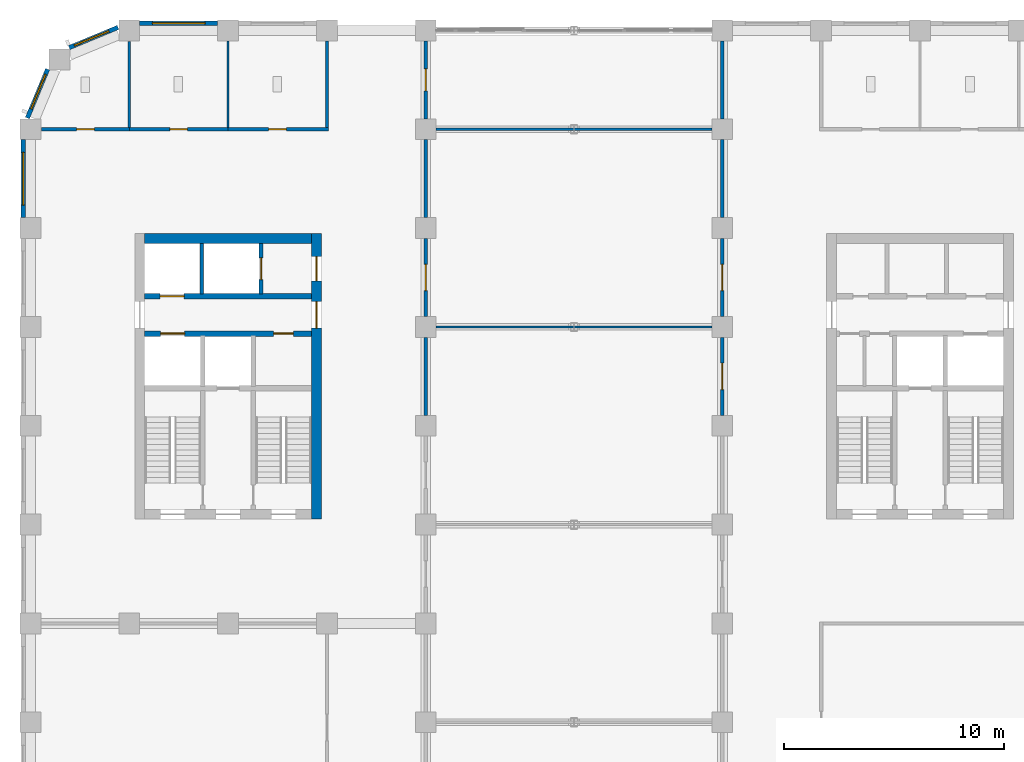
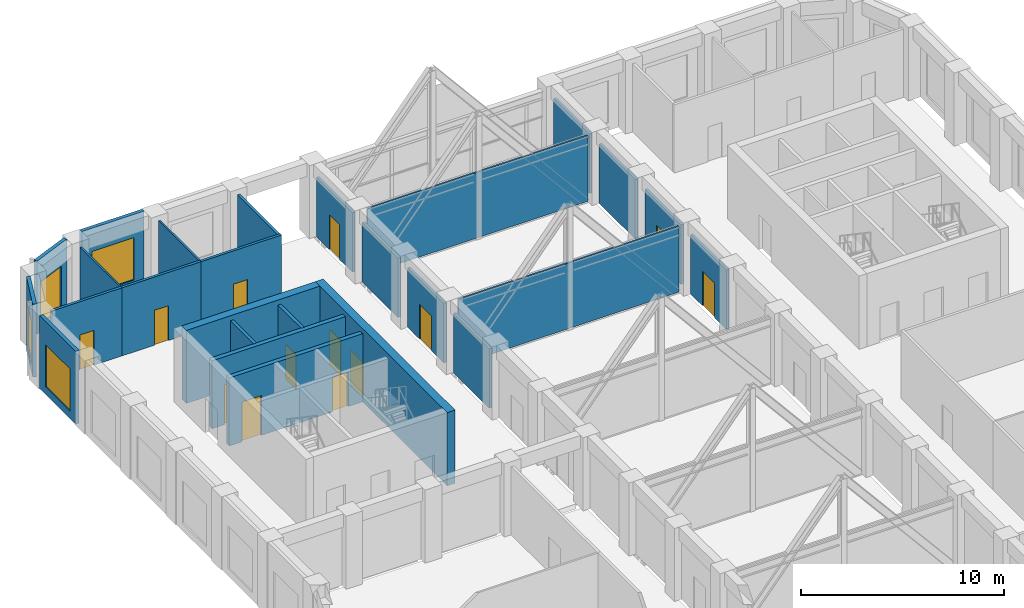
# One storey, part 10 of 15: 26 walls, 13 doors, 4 windows, 17 openings.
"""IFC4 building model written with IfcOpenShell, lengths in metres."""

import ifcopenshell
import ifcopenshell.guid

model = None  # the IFC model being written
_history = None  # IfcOwnerHistory: only IFC2X3 demands one
_inside = {}  # id of a spatial element -> (the spatial element, [elements in it])
_under = {}  # id of a project, library or spatial element -> (it, [spatial elements below it])
_declared = {}  # id of a project -> (the project, [libraries it declares])
_typed = {}  # id of a type object -> (the type object, [elements of that type])
_made_of = {}  # id of a material, layer set ... -> (it, [elements and type objects made of it])


def new_model(schema):
    """Start an empty IFC model of exactly this schema.

    Asked for "IFC4X3", IfcOpenShell would pick the latest addendum, in which some entities
    have other attributes; the version numbers below select the first issue.
    IFC2X3 requires an IfcOwnerHistory on every rooted entity: one is made here for all.
    """
    global model, _history
    if schema == "IFC4X3":
        model = ifcopenshell.file(schema_version=(4, 3, 0, 0))
    else:
        model = ifcopenshell.file(schema=schema)
    _inside.clear()
    _under.clear()
    _declared.clear()
    _typed.clear()
    _made_of.clear()
    _history = None
    if model.schema == "IFC2X3":
        org = make("IfcOrganization", Name="unknown")
        user = make(
            "IfcPersonAndOrganization",
            ThePerson=make("IfcPerson", FamilyName="unknown"),
            TheOrganization=org,
        )
        app = make(
            "IfcApplication",
            ApplicationDeveloper=org,
            Version="unknown",
            ApplicationFullName="unknown",
            ApplicationIdentifier="unknown",
        )
        _history = make(
            "IfcOwnerHistory",
            OwningUser=user,
            OwningApplication=app,
            ChangeAction="ADDED",
            CreationDate=0,
        )
    return model


def make(cls, **values):
    """One entity of the class cls with the attributes given. An attribute that is None is left unset."""
    return model.create_entity(
        cls, **{name: value for name, value in values.items() if value is not None}
    )


def rooted(cls, **values):
    """An entity with a GlobalId (a new one), such as an element, a storey or a relation."""
    return make(cls, GlobalId=ifcopenshell.guid.new(), OwnerHistory=_history, **values)


def si_unit(unit_type, name, prefix=None):
    """IfcSIUnit, for example si_unit("LENGTHUNIT", "METRE", prefix="MILLI")."""
    return make("IfcSIUnit", UnitType=unit_type, Prefix=prefix, Name=name)


def assignment(units):
    """IfcUnitAssignment: the units of a project."""
    return None if units is None else make("IfcUnitAssignment", Units=units)


def point(xyz):
    """IfcCartesianPoint."""
    return None if xyz is None else make("IfcCartesianPoint", Coordinates=xyz)


def direction(xyz):
    """IfcDirection."""
    return None if xyz is None else make("IfcDirection", DirectionRatios=xyz)


def frame(location, z_axis=None, x_axis=None):
    """IfcAxis2Placement3D, a coordinate frame: its origin and axes. An axis left out is left unset."""
    return make(
        "IfcAxis2Placement3D",
        Location=point(location),
        Axis=direction(z_axis),
        RefDirection=direction(x_axis),
    )


def frame_2d(location, x_axis=None):
    """IfcAxis2Placement2D, a coordinate frame in the plane: its origin and x axis."""
    return make(
        "IfcAxis2Placement2D", Location=point(location), RefDirection=direction(x_axis)
    )


def origin():
    """The frame at (0, 0, 0) with its axes left unset."""
    return frame((0.0, 0.0, 0.0))


def place(relative_to, where):
    """IfcLocalPlacement: puts the frame where relative to a parent placement (None: the world)."""
    return make(
        "IfcLocalPlacement", PlacementRelTo=relative_to, RelativePlacement=where
    )


def context(
    kind, dimensions, precision=None, world=None, true_north=None, identifier=None
):
    """IfcGeometricRepresentationContext, for example the 3D "Model" context."""
    return make(
        "IfcGeometricRepresentationContext",
        ContextIdentifier=identifier,
        ContextType=kind,
        CoordinateSpaceDimension=dimensions,
        Precision=precision,
        WorldCoordinateSystem=world,
        TrueNorth=true_north,
    )


def subcontext(parent, identifier, kind, view, scale=None):
    """IfcGeometricRepresentationSubContext, for example "Body" below "Model"."""
    return make(
        "IfcGeometricRepresentationSubContext",
        ContextIdentifier=identifier,
        ContextType=kind,
        ParentContext=parent,
        TargetScale=scale,
        TargetView=view,
    )


def project(units=None, contexts=None):
    """IfcProject with its units and contexts."""
    return rooted(
        "IfcProject",
        Name="project",
        RepresentationContexts=contexts,
        UnitsInContext=assignment(units),
    )


def spatial(cls, under=None, at=None, **own):
    """A site, building, storey or space (cls), placed at a placement, below another one or the project."""
    s = rooted(cls, ObjectPlacement=at, **own)
    if under is not None:
        _under.setdefault(under.id(), (under, []))[1].append(s)
    return s


def profile(cls, at=None, kind="AREA", **sizes):
    """A parametric profile (cls). Its sizes go by their IFC names, for example OverallWidth=200.0."""
    return make(cls, ProfileType=kind, Position=at, **sizes)


def rectangle(**sizes):
    """IfcRectangleProfileDef."""
    return profile("IfcRectangleProfileDef", **sizes)


def extrude(swept, where, along, depth):
    """IfcExtrudedAreaSolid: the profile swept, set in the frame where, extruded along a direction by depth."""
    return make(
        "IfcExtrudedAreaSolid",
        SweptArea=swept,
        Position=where,
        ExtrudedDirection=direction(along),
        Depth=depth,
    )


def shape(context_of_items, identifier, shape_type, items):
    """IfcShapeRepresentation: the items that make up one representation, for example the "Body"."""
    return make(
        "IfcShapeRepresentation",
        ContextOfItems=context_of_items,
        RepresentationIdentifier=identifier,
        RepresentationType=shape_type,
        Items=items,
    )


def material(Name=None, Category=None):
    """IfcMaterial."""
    return make("IfcMaterial", Name=Name, Category=Category)


def layer(
    of_material, thickness, ventilated=None, Name=None, Category=None, Priority=None
):
    """IfcMaterialLayer: one layer of a wall or slab, of a material (None: an air gap)."""
    return make(
        "IfcMaterialLayer",
        Material=of_material,
        LayerThickness=thickness,
        IsVentilated=ventilated,
        Name=Name,
        Category=Category,
        Priority=Priority,
    )


def layer_set(layers, Name=None):
    """IfcMaterialLayerSet."""
    return make("IfcMaterialLayerSet", MaterialLayers=layers, LayerSetName=Name)


def made_of(thing, what):
    """Note that an element or type object is made of a material, layer set ...; save() writes the relation."""
    if what is not None:
        _made_of.setdefault(what.id(), (what, []))[1].append(thing)
    return thing


def type_object(cls, material=None, **own):
    """A type object (cls), such as IfcWallType, which elements share."""
    return made_of(rooted(cls, **own), material)


def element(
    cls,
    number,
    at=None,
    inside=None,
    cuts=None,
    type_object=None,
    material=None,
    context=None,
    identifier="Body",
    shape_type=None,
    held_by="IfcProductDefinitionShape",
    body=None,
    shapes=None,
    **own,
):
    """One element of the class cls, such as IfcWall. Its Tag is "e" and its number.

    at: its placement. inside: the storey or other place that contains it. cuts: it is an
    opening in that element (IfcRelVoidsElement). A single representation is given by context,
    identifier, shape_type and body (its items); several are given by shapes. held_by: the class
    of the entity that holds the representations. save() writes the other relations.
    """
    e = rooted(cls, Tag="e%d" % number, ObjectPlacement=at, **own)
    if body is not None:
        shapes = [shape(context, identifier, shape_type, body)]
    if shapes is not None:
        e.Representation = make(held_by, Representations=shapes)
    if inside is not None:
        _inside.setdefault(inside.id(), (inside, []))[1].append(e)
    if cuts is not None:
        rooted(
            "IfcRelVoidsElement", RelatingBuildingElement=cuts, RelatedOpeningElement=e
        )
    if type_object is not None:
        _typed.setdefault(type_object.id(), (type_object, []))[1].append(e)
    return made_of(e, material)


def fill(opening, filler):
    """IfcRelFillsElement: the door or window that sits in an opening."""
    return rooted(
        "IfcRelFillsElement",
        RelatingOpeningElement=opening,
        RelatedBuildingElement=filler,
    )


def aggregate(whole, parts):
    """IfcRelAggregates: a whole, such as a stair, and the parts it consists of."""
    return rooted("IfcRelAggregates", RelatingObject=whole, RelatedObjects=parts)


def save(model, path):
    """Write the relations noted so far, then the file.

    IfcRelAggregates (storeys below a building ...), IfcRelContainedInSpatialStructure (elements
    in a storey), IfcRelDefinesByType, IfcRelAssociatesMaterial and IfcRelDeclares: one each for
    every whole, place, type object, material and project.
    """
    for whole, parts in _under.values():
        aggregate(whole, parts)
    for where, things in _inside.values():
        rooted(
            "IfcRelContainedInSpatialStructure",
            RelatedElements=things,
            RelatingStructure=where,
        )
    for kind, things in _typed.values():
        rooted("IfcRelDefinesByType", RelatedObjects=things, RelatingType=kind)
    for what, things in _made_of.values():
        rooted("IfcRelAssociatesMaterial", RelatedObjects=things, RelatingMaterial=what)
    for by, libraries in _declared.values():
        rooted("IfcRelDeclares", RelatingContext=by, RelatedDefinitions=libraries)
    model.write(path)


model = new_model("IFC4")

# Units and contexts
model_context = context("Model", 3, precision=1e-05, world=origin(), true_north=direction((0.0, 1.0)))
body_context = subcontext(model_context, "Body", "Model", "MODEL_VIEW")
ifc_project = project(units=[si_unit("LENGTHUNIT", "METRE"), si_unit("AREAUNIT", "SQUARE_METRE"), si_unit("VOLUMEUNIT", "CUBIC_METRE"), si_unit("PLANEANGLEUNIT", "RADIAN"), si_unit("MASSUNIT", "GRAM", prefix="KILO")], contexts=[model_context])

# Site, building, storey
site_placement = place(None, origin())
site = spatial("IfcSite", under=ifc_project, at=site_placement, CompositionType="ELEMENT")
building_placement = place(site_placement, origin())
building = spatial("IfcBuilding", under=site, at=building_placement, Name="Girih Gate Residences", CompositionType="ELEMENT")
storey_placement = place(building_placement, frame((0.0, 0.0, 168.199951171875)))
storey = spatial("IfcBuildingStorey", under=building, at=storey_placement, Name="L46", CompositionType="ELEMENT", Elevation=168.199951171875)

# Wall, opening, door
ifc_material_1 = material(Name="Gypsum board on steel studs", Category="steel")
ifc_layer_1 = layer(ifc_material_1, 0.14990234375)
ifc_layer_set_1 = layer_set([ifc_layer_1], Name="Compartment wall 150 mm")
wall_type_1 = type_object("IfcWallType", Name="Compartment wall 150 mm", PredefinedType="PARTITIONING", material=ifc_layer_set_1)
wall_1_placement = place(storey_placement, frame((31.5, 31.97509765625, 0.0), z_axis=(0.0, 0.0, 1.0), x_axis=(0.0, 1.0, 0.0)))
wall_1 = element("IfcWall", 1, at=wall_1_placement, inside=storey, type_object=wall_type_1, Name="L46 partition", PredefinedType="PARTITIONING", context=body_context, shape_type="SweptSolid", body=[
    extrude(rectangle(XDim=3.5498046875, YDim=0.14990234375, at=frame_2d((1.77490234375, 0.0))), origin(), (0.0, 0.0, 1.0), 3.580078125),
])
opening_1_placement = place(wall_1_placement, frame((1.175048828125, 0.0, 0.0)))
opening_1 = element("IfcOpeningElement", 2, at=opening_1_placement, cuts=wall_1, Name="Opening D-L46-S-005", PredefinedType="OPENING", context=body_context, shape_type="SweptSolid", body=[
    extrude(rectangle(XDim=1.199951171875, YDim=2.10009765625, at=frame_2d((0.60009765625, 1.050048828125))), frame((0.0, 0.0849609375, 0.0), z_axis=(0.0, -1.0, 0.0), x_axis=(1.0, 0.0, 0.0)), (0.0, 0.0, 1.0), 0.169921875),
])
ifc_material_2 = material(Name="Timber, fire-rated core", Category="wood")
door_type_1 = type_object("IfcDoorType", Name="Gallery fire door 1200x2100 FD30S", OperationType="SINGLE_SWING_LEFT", PredefinedType="DOOR", material=ifc_material_2)
door_1_placement = place(opening_1_placement, origin())
door_1 = element("IfcDoor", 3, at=door_1_placement, inside=storey, type_object=door_type_1, Name="Door L46-005", OperationType="SINGLE_SWING_LEFT", OverallHeight=2.10009765625, OverallWidth=1.199951171875, PredefinedType="DOOR", context=body_context, shape_type="SweptSolid", body=[
    extrude(rectangle(XDim=1.199951171875, YDim=2.10009765625, at=frame_2d((0.60009765625, 1.050048828125))), frame((0.0, 0.02490234375, 0.0), z_axis=(0.0, -1.0, 0.0), x_axis=(1.0, 0.0, 0.0)), (0.0, 0.0, 1.0), 0.050048828125),
])
fill(opening_1, door_1)

# Wall
wall_2_placement = place(storey_placement, frame((18.0, 31.97509765625, 0.0), z_axis=(0.0, 0.0, 1.0), x_axis=(0.0, 1.0, 0.0)))
element("IfcWall", 4, at=wall_2_placement, inside=storey, type_object=wall_type_1, Name="L46 partition", PredefinedType="PARTITIONING", context=body_context, shape_type="SweptSolid", body=[
    extrude(rectangle(XDim=3.5498046875, YDim=0.14990234375, at=frame_2d((1.77490234375, 0.0))), origin(), (0.0, 0.0, 1.0), 3.580078125),
])

# Wall, opening, door
wall_3_placement = place(storey_placement, frame((31.5, 36.47509765625, 0.0), z_axis=(0.0, 0.0, 1.0), x_axis=(0.0, 1.0, 0.0)))
wall_3 = element("IfcWall", 5, at=wall_3_placement, inside=storey, type_object=wall_type_1, Name="L46 partition", PredefinedType="PARTITIONING", context=body_context, shape_type="SweptSolid", body=[
    extrude(rectangle(XDim=3.5498046875, YDim=0.14990234375, at=frame_2d((1.77490234375, 0.0))), origin(), (0.0, 0.0, 1.0), 3.580078125),
])
opening_2_placement = place(wall_3_placement, frame((1.175048828125, 0.0, 0.0)))
opening_2 = element("IfcOpeningElement", 6, at=opening_2_placement, cuts=wall_3, Name="Opening D-L46-S-007", PredefinedType="OPENING", context=body_context, shape_type="SweptSolid", body=[
    extrude(rectangle(XDim=1.199951171875, YDim=2.10009765625, at=frame_2d((0.60009765625, 1.050048828125))), frame((0.0, 0.0849609375, 0.0), z_axis=(0.0, -1.0, 0.0), x_axis=(1.0, 0.0, 0.0)), (0.0, 0.0, 1.0), 0.169921875),
])
door_2_placement = place(opening_2_placement, origin())
door_2 = element("IfcDoor", 7, at=door_2_placement, inside=storey, type_object=door_type_1, Name="Door L46-007", OperationType="SINGLE_SWING_LEFT", OverallHeight=2.10009765625, OverallWidth=1.199951171875, PredefinedType="DOOR", context=body_context, shape_type="SweptSolid", body=[
    extrude(rectangle(XDim=1.199951171875, YDim=2.10009765625, at=frame_2d((0.60009765625, 1.050048828125))), frame((0.0, 0.02490234375, 0.0), z_axis=(0.0, -1.0, 0.0), x_axis=(1.0, 0.0, 0.0)), (0.0, 0.0, 1.0), 0.050048828125),
])
fill(opening_2, door_2)

# Wall
wall_4_placement = place(storey_placement, frame((31.5, 40.97509765625, 0.0), z_axis=(0.0, 0.0, 1.0), x_axis=(0.0, 1.0, 0.0)))
element("IfcWall", 8, at=wall_4_placement, inside=storey, type_object=wall_type_1, Name="L46 partition", PredefinedType="PARTITIONING", context=body_context, shape_type="SweptSolid", body=[
    extrude(rectangle(XDim=3.5498046875, YDim=0.14990234375, at=frame_2d((1.77490234375, 0.0))), origin(), (0.0, 0.0, 1.0), 3.580078125),
])

# Wall, opening, door
wall_5_placement = place(storey_placement, frame((18.0, 40.02490234375, 0.0), z_axis=(0.0, 0.0, 1.0), x_axis=(0.0, -1.0, 0.0)))
wall_5 = element("IfcWall", 9, at=wall_5_placement, inside=storey, type_object=wall_type_1, Name="L46 partition", PredefinedType="PARTITIONING", context=body_context, shape_type="SweptSolid", body=[
    extrude(rectangle(XDim=3.5498046875, YDim=0.14990234375, at=frame_2d((1.77490234375, 0.0))), origin(), (0.0, 0.0, 1.0), 3.580078125),
])
opening_3_placement = place(wall_5_placement, frame((1.175048828125, 0.0, 0.0)))
opening_3 = element("IfcOpeningElement", 10, at=opening_3_placement, cuts=wall_5, Name="Opening D-L46-S-008", PredefinedType="OPENING", context=body_context, shape_type="SweptSolid", body=[
    extrude(rectangle(XDim=1.199951171875, YDim=2.10009765625, at=frame_2d((0.60009765625, 1.050048828125))), frame((0.0, 0.0849609375, 0.0), z_axis=(0.0, -1.0, 0.0), x_axis=(1.0, 0.0, 0.0)), (0.0, 0.0, 1.0), 0.169921875),
])
door_3_placement = place(opening_3_placement, origin())
door_3 = element("IfcDoor", 11, at=door_3_placement, inside=storey, type_object=door_type_1, Name="Door L46-008", OperationType="SINGLE_SWING_LEFT", OverallHeight=2.10009765625, OverallWidth=1.199951171875, PredefinedType="DOOR", context=body_context, shape_type="SweptSolid", body=[
    extrude(rectangle(XDim=1.199951171875, YDim=2.10009765625, at=frame_2d((0.60009765625, 1.050048828125))), frame((0.0, 0.02490234375, 0.0), z_axis=(0.0, -1.0, 0.0), x_axis=(1.0, 0.0, 0.0)), (0.0, 0.0, 1.0), 0.050048828125),
])
fill(opening_3, door_3)

# Walls
for number, where, z_axis, x_axis, name in (
    (12, (18.0, 40.97509765625, 0.0), (0.0, 0.0, 1.0), (0.0, 1.0, 0.0), "L46 partition"),
    (13, (31.5, 45.47509765625, 0.0), (0.0, 0.0, 1.0), (0.0, 1.0, 0.0), "L46 partition"),
):
    element("IfcWall", number, at=place(storey_placement, frame(where, z_axis=z_axis, x_axis=x_axis)), inside=storey, type_object=wall_type_1, Name=name, PredefinedType="PARTITIONING", context=body_context, shape_type="SweptSolid", body=[
        extrude(rectangle(XDim=3.5498046875, YDim=0.14990234375, at=frame_2d((1.77490234375, 0.0))), origin(), (0.0, 0.0, 1.0), 3.580078125),
    ])

# Wall, opening, door
wall_6_placement = place(storey_placement, frame((18.0, 49.02490234375, 0.0), z_axis=(0.0, 0.0, 1.0), x_axis=(0.0, -1.0, 0.0)))
wall_6 = element("IfcWall", 14, at=wall_6_placement, inside=storey, type_object=wall_type_1, Name="L46 partition", PredefinedType="PARTITIONING", context=body_context, shape_type="SweptSolid", body=[
    extrude(rectangle(XDim=3.5498046875, YDim=0.14990234375, at=frame_2d((1.77490234375, 0.0))), origin(), (0.0, 0.0, 1.0), 3.580078125),
])
opening_4_placement = place(wall_6_placement, frame((1.27490234375, 0.0, 0.0)))
opening_4 = element("IfcOpeningElement", 15, at=opening_4_placement, cuts=wall_6, Name="Opening D-L46-S-009", PredefinedType="OPENING", context=body_context, shape_type="SweptSolid", body=[
    extrude(rectangle(XDim=1.0, YDim=2.10009765625, at=frame_2d((0.5, 1.050048828125))), frame((0.0, 0.0849609375, 0.0), z_axis=(0.0, -1.0, 0.0), x_axis=(1.0, 0.0, 0.0)), (0.0, 0.0, 1.0), 0.169921875),
])
door_type_2 = type_object("IfcDoorType", Name="Amenity door 1000x2100 FD30S", OperationType="SINGLE_SWING_LEFT", PredefinedType="DOOR", material=ifc_material_2)
door_4_placement = place(opening_4_placement, origin())
door_4 = element("IfcDoor", 16, at=door_4_placement, inside=storey, type_object=door_type_2, Name="Door L46-009", OperationType="SINGLE_SWING_RIGHT", OverallHeight=2.10009765625, OverallWidth=1.0, PredefinedType="DOOR", context=body_context, shape_type="SweptSolid", body=[
    extrude(rectangle(XDim=1.0, YDim=2.10009765625, at=frame_2d((0.5, 1.050048828125))), frame((0.0, 0.02490234375, 0.0), z_axis=(0.0, -1.0, 0.0), x_axis=(1.0, 0.0, 0.0)), (0.0, 0.0, 1.0), 0.050048828125),
])
fill(opening_4, door_4)

wall_7_placement = place(storey_placement, frame((0.51416015625, 45.0, 0.0), z_axis=(0.0, 0.0, 1.0), x_axis=(1.0, 0.0, 0.0)))
wall_7 = element("IfcWall", 17, at=wall_7_placement, inside=storey, type_object=wall_type_1, Name="L46 partition", PredefinedType="PARTITIONING", context=body_context, shape_type="SweptSolid", body=[
    extrude(rectangle(XDim=3.98583984375, YDim=0.14990234375, at=frame_2d((1.992919921875, 0.0))), origin(), (0.0, 0.0, 1.0), 4.10009765625),
])
opening_5_placement = place(wall_7_placement, frame((1.593017578125, 0.0, 0.0)))
opening_5 = element("IfcOpeningElement", 18, at=opening_5_placement, cuts=wall_7, Name="Opening D-L46-S-016", PredefinedType="OPENING", context=body_context, shape_type="SweptSolid", body=[
    extrude(rectangle(XDim=0.800048828125, YDim=2.10009765625, at=frame_2d((0.39990234375, 1.050048828125))), frame((0.0, 0.0849609375, 0.0), z_axis=(0.0, -1.0, 0.0), x_axis=(1.0, 0.0, 0.0)), (0.0, 0.0, 1.0), 0.169921875),
])
ifc_material_3 = material(Name="Timber", Category="wood")
door_type_3 = type_object("IfcDoorType", Name="WC and store door 800x2100", OperationType="SINGLE_SWING_LEFT", PredefinedType="DOOR", material=ifc_material_3)
door_5_placement = place(opening_5_placement, origin())
door_5 = element("IfcDoor", 19, at=door_5_placement, inside=storey, type_object=door_type_3, Name="Door L46-016", OperationType="SINGLE_SWING_LEFT", OverallHeight=2.10009765625, OverallWidth=0.800048828125, PredefinedType="DOOR", context=body_context, shape_type="SweptSolid", body=[
    extrude(rectangle(XDim=0.800048828125, YDim=2.10009765625, at=frame_2d((0.39990234375, 1.050048828125))), frame((0.0, 0.02490234375, 0.0), z_axis=(0.0, -1.0, 0.0), x_axis=(1.0, 0.0, 0.0)), (0.0, 0.0, 1.0), 0.050048828125),
])
fill(opening_5, door_5)

wall_8_placement = place(storey_placement, frame((4.5, 45.0, 0.0), z_axis=(0.0, 0.0, 1.0), x_axis=(1.0, 0.0, 0.0)))
wall_8 = element("IfcWall", 20, at=wall_8_placement, inside=storey, type_object=wall_type_1, Name="L46 partition", PredefinedType="PARTITIONING", context=body_context, shape_type="SweptSolid", body=[
    extrude(rectangle(XDim=4.5, YDim=0.14990234375, at=frame_2d((2.25, 0.0))), origin(), (0.0, 0.0, 1.0), 4.10009765625),
])
opening_6_placement = place(wall_8_placement, frame((1.85009765625, 0.0, 0.0)))
opening_6 = element("IfcOpeningElement", 21, at=opening_6_placement, cuts=wall_8, Name="Opening D-L46-S-017", PredefinedType="OPENING", context=body_context, shape_type="SweptSolid", body=[
    extrude(rectangle(XDim=0.800048828125, YDim=2.10009765625, at=frame_2d((0.39990234375, 1.050048828125))), frame((0.0, 0.0849609375, 0.0), z_axis=(0.0, -1.0, 0.0), x_axis=(1.0, 0.0, 0.0)), (0.0, 0.0, 1.0), 0.169921875),
])
door_6_placement = place(opening_6_placement, origin())
door_6 = element("IfcDoor", 22, at=door_6_placement, inside=storey, type_object=door_type_3, Name="Door L46-017", OperationType="SINGLE_SWING_RIGHT", OverallHeight=2.10009765625, OverallWidth=0.800048828125, PredefinedType="DOOR", context=body_context, shape_type="SweptSolid", body=[
    extrude(rectangle(XDim=0.800048828125, YDim=2.10009765625, at=frame_2d((0.39990234375, 1.050048828125))), frame((0.0, 0.02490234375, 0.0), z_axis=(0.0, -1.0, 0.0), x_axis=(1.0, 0.0, 0.0)), (0.0, 0.0, 1.0), 0.050048828125),
])
fill(opening_6, door_6)

# Wall
wall_9_placement = place(storey_placement, frame((13.5, 45.074951171875, 0.0), z_axis=(0.0, 0.0, 1.0), x_axis=(0.0, 1.0, 0.0)))
element("IfcWall", 23, at=wall_9_placement, inside=storey, type_object=wall_type_1, Name="L46 partition", PredefinedType="PARTITIONING", context=body_context, shape_type="SweptSolid", body=[
    extrude(rectangle(XDim=3.949951171875, YDim=0.14990234375, at=frame_2d((1.97509765625, 0.0))), origin(), (0.0, 0.0, 1.0), 4.10009765625),
])

# Wall, opening, door
wall_10_placement = place(storey_placement, frame((9.0, 45.0, 0.0), z_axis=(0.0, 0.0, 1.0), x_axis=(1.0, 0.0, 0.0)))
wall_10 = element("IfcWall", 24, at=wall_10_placement, inside=storey, type_object=wall_type_1, Name="L46 partition", PredefinedType="PARTITIONING", context=body_context, shape_type="SweptSolid", body=[
    extrude(rectangle(XDim=4.574951171875, YDim=0.14990234375, at=frame_2d((2.28759765625, 0.0))), origin(), (0.0, 0.0, 1.0), 4.10009765625),
])
opening_7_placement = place(wall_10_placement, frame((1.85009765625, 0.0, 0.0)))
opening_7 = element("IfcOpeningElement", 25, at=opening_7_placement, cuts=wall_10, Name="Opening D-L46-S-018", PredefinedType="OPENING", context=body_context, shape_type="SweptSolid", body=[
    extrude(rectangle(XDim=0.800048828125, YDim=2.10009765625, at=frame_2d((0.39990234375, 1.050048828125))), frame((0.0, 0.0849609375, 0.0), z_axis=(0.0, -1.0, 0.0), x_axis=(1.0, 0.0, 0.0)), (0.0, 0.0, 1.0), 0.169921875),
])
door_7_placement = place(opening_7_placement, origin())
door_7 = element("IfcDoor", 26, at=door_7_placement, inside=storey, type_object=door_type_3, Name="Door L46-018", OperationType="SINGLE_SWING_LEFT", OverallHeight=2.10009765625, OverallWidth=0.800048828125, PredefinedType="DOOR", context=body_context, shape_type="SweptSolid", body=[
    extrude(rectangle(XDim=0.800048828125, YDim=2.10009765625, at=frame_2d((0.39990234375, 1.050048828125))), frame((0.0, 0.02490234375, 0.0), z_axis=(0.0, -1.0, 0.0), x_axis=(1.0, 0.0, 0.0)), (0.0, 0.0, 1.0), 0.050048828125),
])
fill(opening_7, door_7)

# Wall
ifc_material_4 = material(Name="Concrete C60/75", Category="concrete")
ifc_layer_2 = layer(ifc_material_4, 0.449951171875)
ifc_layer_set_2 = layer_set([ifc_layer_2], Name="Core wall RC 450 Concrete C60/75")
wall_type_2 = type_object("IfcWallType", Name="Core wall RC 450 Concrete C60/75", PredefinedType="SOLIDWALL", material=ifc_layer_set_2)
wall_11_placement = place(storey_placement, frame((5.199951171875, 40.02490234375, 0.0), z_axis=(0.0, 0.0, 1.0), x_axis=(1.0, 0.0, 0.0)))
element("IfcWall", 27, at=wall_11_placement, inside=storey, type_object=wall_type_2, Name="Core wall W-N L46", PredefinedType="SOLIDWALL", context=body_context, shape_type="SweptSolid", body=[
    extrude(rectangle(XDim=7.60009765625, YDim=0.449951171875, at=frame_2d((3.800048828125, 0.0))), origin(), (0.0, 0.0, 1.0), 4.400146484375),
])

# Wall, openings, doors
wall_12_placement = place(storey_placement, frame((13.02490234375, 27.25, 0.0), z_axis=(0.0, 0.0, 1.0), x_axis=(0.0, 1.0, 0.0)))
wall_12 = element("IfcWall", 28, at=wall_12_placement, inside=storey, type_object=wall_type_2, Name="Core wall W-E L46", PredefinedType="SOLIDWALL", context=body_context, shape_type="SweptSolid", body=[
    extrude(rectangle(XDim=13.0, YDim=0.449951171875, at=frame_2d((6.5, 0.0))), origin(), (0.0, 0.0, 1.0), 4.400146484375),
])
opening_8_placement = place(wall_12_placement, frame((10.85009765625, 0.0, 0.0)))
opening_8 = element("IfcOpeningElement", 29, at=opening_8_placement, cuts=wall_12, Name="Opening D-L46-W-011", PredefinedType="OPENING", context=body_context, shape_type="SweptSolid", body=[
    extrude(rectangle(XDim=1.10009765625, YDim=2.10009765625, at=frame_2d((0.550048828125, 1.050048828125))), frame((0.0, 0.23486328125, 0.0), z_axis=(0.0, -1.0, 0.0), x_axis=(1.0, 0.0, 0.0)), (0.0, 0.0, 1.0), 0.469970703125),
])
opening_9_placement = place(wall_12_placement, frame((8.699951171875, 0.0, 0.0)))
opening_9 = element("IfcOpeningElement", 30, at=opening_9_placement, cuts=wall_12, Name="Opening D-L46-W-013", PredefinedType="OPENING", context=body_context, shape_type="SweptSolid", body=[
    extrude(rectangle(XDim=1.199951171875, YDim=2.10009765625, at=frame_2d((0.60009765625, 1.050048828125))), frame((0.0, 0.23486328125, 0.0), z_axis=(0.0, -1.0, 0.0), x_axis=(1.0, 0.0, 0.0)), (0.0, 0.0, 1.0), 0.469970703125),
])
ifc_material_5 = material(Name="Painted steel, fire-resisting", Category="steel")
door_type_4 = type_object("IfcDoorType", Name="Fire door 1100x2100", OperationType="SINGLE_SWING_LEFT", PredefinedType="DOOR", material=ifc_material_5)
door_8_placement = place(opening_8_placement, origin())
door_8 = element("IfcDoor", 31, at=door_8_placement, inside=storey, type_object=door_type_4, Name="L46 W core door ffl2-e", OperationType="SINGLE_SWING_LEFT", OverallHeight=2.10009765625, OverallWidth=1.10009765625, PredefinedType="DOOR", context=body_context, shape_type="SweptSolid", body=[
    extrude(rectangle(XDim=1.10009765625, YDim=2.10009765625, at=frame_2d((0.550048828125, 1.050048828125))), frame((0.0, 0.02490234375, 0.0), z_axis=(0.0, -1.0, 0.0), x_axis=(1.0, 0.0, 0.0)), (0.0, 0.0, 1.0), 0.050048828125),
])
fill(opening_8, door_8)
door_type_5 = type_object("IfcDoorType", Name="Fire door 1200x2100", OperationType="SINGLE_SWING_LEFT", PredefinedType="DOOR", material=ifc_material_5)
door_9_placement = place(opening_9_placement, origin())
door_9 = element("IfcDoor", 32, at=door_9_placement, inside=storey, type_object=door_type_5, Name="L46 W core door ll-e", OperationType="SINGLE_SWING_LEFT", OverallHeight=2.10009765625, OverallWidth=1.199951171875, PredefinedType="DOOR", context=body_context, shape_type="SweptSolid", body=[
    extrude(rectangle(XDim=1.199951171875, YDim=2.10009765625, at=frame_2d((0.60009765625, 1.050048828125))), frame((0.0, 0.02490234375, 0.0), z_axis=(0.0, -1.0, 0.0), x_axis=(1.0, 0.0, 0.0)), (0.0, 0.0, 1.0), 0.050048828125),
])
fill(opening_9, door_9)

ifc_material_6 = material(Name="Concrete C40/50", Category="concrete")
ifc_layer_3 = layer(ifc_material_6, 0.25)
ifc_layer_set_3 = layer_set([ifc_layer_3], Name="Lift shaft wall 250")
wall_type_3 = type_object("IfcWallType", Name="Lift shaft wall 250", PredefinedType="SOLIDWALL", material=ifc_layer_set_3)
wall_13_placement = place(storey_placement, frame((5.199951171875, 35.699951171875, 0.0), z_axis=(0.0, 0.0, 1.0), x_axis=(1.0, 0.0, 0.0)))
wall_13 = element("IfcWall", 33, at=wall_13_placement, inside=storey, type_object=wall_type_3, Name="L46 W core wall H2", PredefinedType="SOLIDWALL", context=body_context, shape_type="SweptSolid", body=[
    extrude(rectangle(XDim=7.60009765625, YDim=0.25, at=frame_2d((3.800048828125, 0.0))), origin(), (0.0, 0.0, 1.0), 4.10009765625),
])
opening_10_placement = place(wall_13_placement, frame((0.72509765625, 0.0, 0.0)))
opening_10 = element("IfcOpeningElement", 34, at=opening_10_placement, cuts=wall_13, Name="Opening D-L46-W-005", PredefinedType="OPENING", context=body_context, shape_type="SweptSolid", body=[
    extrude(rectangle(XDim=1.10009765625, YDim=2.39990234375, at=frame_2d((0.550048828125, 1.199951171875))), frame((0.0, 0.135009765625, 0.0), z_axis=(0.0, -1.0, 0.0), x_axis=(1.0, 0.0, 0.0)), (0.0, 0.0, 1.0), 0.27001953125),
])
opening_11_placement = place(wall_13_placement, frame((5.875, 0.0, 0.0)))
opening_11 = element("IfcOpeningElement", 35, at=opening_11_placement, cuts=wall_13, Name="Opening D-L46-W-007", PredefinedType="OPENING", context=body_context, shape_type="SweptSolid", body=[
    extrude(rectangle(XDim=0.89990234375, YDim=2.10009765625, at=frame_2d((0.449951171875, 1.050048828125))), frame((0.0, 0.135009765625, 0.0), z_axis=(0.0, -1.0, 0.0), x_axis=(1.0, 0.0, 0.0)), (0.0, 0.0, 1.0), 0.27001953125),
])
door_type_6 = type_object("IfcDoorType", Name="Fire door 900x2100", OperationType="SINGLE_SWING_LEFT", PredefinedType="DOOR", material=ifc_material_5)
door_10_placement = place(opening_11_placement, origin())
door_10 = element("IfcDoor", 36, at=door_10_placement, inside=storey, type_object=door_type_6, Name="L46 W electrical room door", OperationType="SINGLE_SWING_LEFT", OverallHeight=2.10009765625, OverallWidth=0.89990234375, PredefinedType="DOOR", context=body_context, shape_type="SweptSolid", body=[
    extrude(rectangle(XDim=0.89990234375, YDim=2.10009765625, at=frame_2d((0.449951171875, 1.050048828125))), frame((0.0, 0.02490234375, 0.0), z_axis=(0.0, -1.0, 0.0), x_axis=(1.0, 0.0, 0.0)), (0.0, 0.0, 1.0), 0.050048828125),
])
fill(opening_11, door_10)
ifc_material_7 = material(Name="Stainless steel", Category="steel")
door_type_7 = type_object("IfcDoorType", Name="Lift landing door 1100x2400", OperationType="SLIDING_TO_LEFT", PredefinedType="DOOR", material=ifc_material_7)
door_11_placement = place(opening_10_placement, origin())
door_11 = element("IfcDoor", 37, at=door_11_placement, inside=storey, type_object=door_type_7, Name="L46 lift HR-W1 landing door", OperationType="SLIDING_TO_LEFT", OverallHeight=2.39990234375, OverallWidth=1.10009765625, PredefinedType="DOOR", context=body_context, shape_type="SweptSolid", body=[
    extrude(rectangle(XDim=1.10009765625, YDim=2.39990234375, at=frame_2d((0.550048828125, 1.199951171875))), frame((0.0, 0.02490234375, 0.0), z_axis=(0.0, -1.0, 0.0), x_axis=(1.0, 0.0, 0.0)), (0.0, 0.0, 1.0), 0.050048828125),
])
fill(opening_10, door_11)

# Wall, opening, door
wall_14_placement = place(storey_placement, frame((5.199951171875, 37.39990234375, 0.0), z_axis=(0.0, 0.0, 1.0), x_axis=(1.0, 0.0, 0.0)))
wall_14 = element("IfcWall", 38, at=wall_14_placement, inside=storey, type_object=wall_type_3, Name="L46 W core wall H3", PredefinedType="SOLIDWALL", context=body_context, shape_type="SweptSolid", body=[
    extrude(rectangle(XDim=7.60009765625, YDim=0.25, at=frame_2d((3.800048828125, 0.0))), origin(), (0.0, 0.0, 1.0), 4.10009765625),
])
opening_12_placement = place(wall_14_placement, frame((0.699951171875, 0.0, 0.0)))
opening_12 = element("IfcOpeningElement", 39, at=opening_12_placement, cuts=wall_14, Name="Opening D-L46-W-003", PredefinedType="OPENING", context=body_context, shape_type="SweptSolid", body=[
    extrude(rectangle(XDim=1.10009765625, YDim=2.39990234375, at=frame_2d((0.550048828125, 1.199951171875))), frame((0.0, 0.135009765625, 0.0), z_axis=(0.0, -1.0, 0.0), x_axis=(1.0, 0.0, 0.0)), (0.0, 0.0, 1.0), 0.27001953125),
])
door_12_placement = place(opening_12_placement, origin())
door_12 = element("IfcDoor", 40, at=door_12_placement, inside=storey, type_object=door_type_7, Name="L46 lift LR-W1 landing door", OperationType="SLIDING_TO_LEFT", OverallHeight=2.39990234375, OverallWidth=1.10009765625, PredefinedType="DOOR", context=body_context, shape_type="SweptSolid", body=[
    extrude(rectangle(XDim=1.10009765625, YDim=2.39990234375, at=frame_2d((0.550048828125, 1.199951171875))), frame((0.0, 0.02490234375, 0.0), z_axis=(0.0, -1.0, 0.0), x_axis=(1.0, 0.0, 0.0)), (0.0, 0.0, 1.0), 0.050048828125),
])
fill(opening_12, door_12)

# Walls
ifc_layer_4 = layer(ifc_material_1, 0.10009765625)
ifc_layer_set_4 = layer_set([ifc_layer_4], Name="Partition 100 mm")
wall_type_4 = type_object("IfcWallType", Name="Partition 100 mm", PredefinedType="PARTITIONING", material=ifc_layer_set_4)
for number, where, z_axis, x_axis, name in (
    (41, (18.47509765625, 36.0, 0.0), (0.0, 0.0, 1.0), (1.0, 0.0, 0.0), "L46 partition"),
    (42, (18.47509765625, 45.0, 0.0), (0.0, 0.0, 1.0), (1.0, 0.0, 0.0), "L46 partition"),
):
    element("IfcWall", number, at=place(storey_placement, frame(where, z_axis=z_axis, x_axis=x_axis)), inside=storey, type_object=wall_type_4, Name=name, PredefinedType="PARTITIONING", context=body_context, shape_type="SweptSolid", body=[
        extrude(rectangle(XDim=12.5498046875, YDim=0.10009765625, at=frame_2d((6.27490234375, 0.0))), origin(), (0.0, 0.0, 1.0), 3.949951171875),
    ])
wall_15_placement = place(storey_placement, frame((4.5, 45.074951171875, 0.0), z_axis=(0.0, 0.0, 1.0), x_axis=(0.0, 1.0, 0.0)))
element("IfcWall", 43, at=wall_15_placement, inside=storey, type_object=wall_type_4, Name="L46 partition", PredefinedType="PARTITIONING", context=body_context, shape_type="SweptSolid", body=[
    extrude(rectangle(XDim=3.910888671875, YDim=0.10009765625, at=frame_2d((1.95556640625, 0.0))), origin(), (0.0, 0.0, 1.0), 4.10009765625),
])
wall_16_placement = place(storey_placement, frame((9.0, 45.074951171875, 0.0), z_axis=(0.0, 0.0, 1.0), x_axis=(0.0, 1.0, 0.0)))
element("IfcWall", 44, at=wall_16_placement, inside=storey, type_object=wall_type_4, Name="L46 partition", PredefinedType="PARTITIONING", context=body_context, shape_type="SweptSolid", body=[
    extrude(rectangle(XDim=3.949951171875, YDim=0.10009765625, at=frame_2d((1.97509765625, 0.0))), origin(), (0.0, 0.0, 1.0), 4.10009765625),
])

# Wall, opening, window
ifc_material_8 = material(Name="Precast concrete C50/60", Category="concrete")
ifc_layer_5 = layer(ifc_material_8, 0.06005859375, Name="Outer leaf")
ifc_material_9 = material(Name="Rigid PIR insulation")
ifc_layer_6 = layer(ifc_material_9, 0.090087890625, Name="Insulation")
ifc_material_10 = material(Name="Precast concrete C40/50", Category="concrete")
ifc_layer_7 = layer(ifc_material_10, 0.050048828125, Name="Inner leaf")
ifc_layer_set_5 = layer_set([ifc_layer_5, ifc_layer_6, ifc_layer_7], Name="Precast concrete C50/60 external wall 200")
wall_type_5 = type_object("IfcWallType", Name="Precast concrete C50/60 external wall 200", PredefinedType="SOLIDWALL", material=ifc_layer_set_5)
wall_17_placement = place(storey_placement, frame((4.97509765625, 49.824951171875, 0.0), z_axis=(0.0, 0.0, 1.0), x_axis=(1.0, 0.0, 0.0)))
wall_17 = element("IfcWall", 45, at=wall_17_placement, inside=storey, type_object=wall_type_5, Name="External wall N0450_0495.8", PredefinedType="SOLIDWALL", context=body_context, shape_type="SweptSolid", body=[
    extrude(rectangle(XDim=3.5498046875, YDim=0.199951171875, at=frame_2d((1.77490234375, 0.0))), origin(), (0.0, 0.0, 1.0), 4.400146484375),
])
opening_13_placement = place(wall_17_placement, frame((0.574951171875, 0.0, 0.449951171875)))
opening_13 = element("IfcOpeningElement", 46, at=opening_13_placement, cuts=wall_17, Name="Opening W-6B", PredefinedType="OPENING", context=body_context, shape_type="SweptSolid", body=[
    extrude(rectangle(XDim=2.39990234375, YDim=2.550048828125, at=frame_2d((1.199951171875, 1.27490234375))), frame((0.0, 0.10986328125, 0.0), z_axis=(0.0, -1.0, 0.0), x_axis=(1.0, 0.0, 0.0)), (0.0, 0.0, 1.0), 0.219970703125),
])
ifc_material_11 = material(Name="Double glazing in aluminium frame", Category="aluminium")
window_type_1 = type_object("IfcWindowType", Name="Window W-6B 2400x2550", PartitioningType="SINGLE_PANEL", PredefinedType="WINDOW", material=ifc_material_11)
window_1_placement = place(opening_13_placement, origin())
window_1 = element("IfcWindow", 47, at=window_1_placement, inside=storey, type_object=window_type_1, Name="Window W-6B N0450_0495.8", OverallHeight=2.550048828125, OverallWidth=2.39990234375, PartitioningType="SINGLE_PANEL", PredefinedType="WINDOW", context=body_context, shape_type="SweptSolid", body=[
    extrude(rectangle(XDim=2.39990234375, YDim=2.550048828125, at=frame_2d((1.199951171875, 1.27490234375))), frame((0.0, 0.030029296875, 0.0), z_axis=(0.0, -1.0, 0.0), x_axis=(1.0, 0.0, 0.0)), (0.0, 0.0, 1.0), 0.06005859375),
])
fill(opening_13, window_1)

wall_18_placement = place(storey_placement, frame((1.76708984375, 48.7197265625, 0.0), z_axis=(0.0, 0.0, 1.0), x_axis=(0.923880599843, 0.382680855588, 0.0)))
wall_18 = element("IfcWall", 48, at=wall_18_placement, inside=storey, type_object=wall_type_5, Name="External wall NW0045_0495.0", PredefinedType="SOLIDWALL", context=body_context, shape_type="SweptSolid", body=[
    extrude(rectangle(XDim=2.402587890625, YDim=0.199951171875, at=frame_2d((1.201171875, 0.0))), origin(), (0.0, 0.0, 1.0), 4.400146484375),
])
opening_14_placement = place(wall_18_placement, frame((0.25146484375, 0.0, 0.449951171875)))
opening_14 = element("IfcOpeningElement", 49, at=opening_14_placement, cuts=wall_18, Name="Opening W-2F", PredefinedType="OPENING", context=body_context, shape_type="SweptSolid", body=[
    extrude(rectangle(XDim=1.699951171875, YDim=2.550048828125, at=frame_2d((0.85009765625, 1.27490234375))), frame((0.0, 0.10986328125, 0.0), z_axis=(0.0, -1.0, 0.0), x_axis=(1.0, 0.0, 0.0)), (0.0, 0.0, 1.0), 0.219970703125),
])
window_type_2 = type_object("IfcWindowType", Name="Window W-2F 1700x2550", PartitioningType="SINGLE_PANEL", PredefinedType="WINDOW", material=ifc_material_11)
window_2_placement = place(opening_14_placement, origin())
window_2 = element("IfcWindow", 50, at=window_2_placement, inside=storey, type_object=window_type_2, Name="Window W-2F NW0045_0495.0", OverallHeight=2.550048828125, OverallWidth=1.699951171875, PartitioningType="SINGLE_PANEL", PredefinedType="WINDOW", context=body_context, shape_type="SweptSolid", body=[
    extrude(rectangle(XDim=1.699951171875, YDim=2.550048828125, at=frame_2d((0.85009765625, 1.27490234375))), frame((0.0, 0.030029296875, 0.0), z_axis=(0.0, -1.0, 0.0), x_axis=(1.0, 0.0, 0.0)), (0.0, 0.0, 1.0), 0.06005859375),
])
fill(opening_14, window_2)

wall_19_placement = place(storey_placement, frame((-0.13916015625, 45.51318359375, 0.0), z_axis=(0.0, 0.0, 1.0), x_axis=(0.382680855588, 0.923880599843, 0.0)))
wall_19 = element("IfcWall", 51, at=wall_19_placement, inside=storey, type_object=wall_type_5, Name="External wall NW0013_0482.0", PredefinedType="SOLIDWALL", context=body_context, shape_type="SweptSolid", body=[
    extrude(rectangle(XDim=2.402587890625, YDim=0.199951171875, at=frame_2d((1.201171875, 0.0))), origin(), (0.0, 0.0, 1.0), 4.400146484375),
])
opening_15_placement = place(wall_19_placement, frame((0.451171875, 0.0, 0.449951171875)))
opening_15 = element("IfcOpeningElement", 52, at=opening_15_placement, cuts=wall_19, Name="Opening W-2F", PredefinedType="OPENING", context=body_context, shape_type="SweptSolid", body=[
    extrude(rectangle(XDim=1.699951171875, YDim=2.550048828125, at=frame_2d((0.85009765625, 1.27490234375))), frame((0.0, 0.10986328125, 0.0), z_axis=(0.0, -1.0, 0.0), x_axis=(1.0, 0.0, 0.0)), (0.0, 0.0, 1.0), 0.219970703125),
])
window_3_placement = place(opening_15_placement, origin())
window_3 = element("IfcWindow", 53, at=window_3_placement, inside=storey, type_object=window_type_2, Name="Window W-2F NW0013_0482.0", OverallHeight=2.550048828125, OverallWidth=1.699951171875, PartitioningType="SINGLE_PANEL", PredefinedType="WINDOW", context=body_context, shape_type="SweptSolid", body=[
    extrude(rectangle(XDim=1.699951171875, YDim=2.550048828125, at=frame_2d((0.85009765625, 1.27490234375))), frame((0.0, 0.030029296875, 0.0), z_axis=(0.0, -1.0, 0.0), x_axis=(1.0, 0.0, 0.0)), (0.0, 0.0, 1.0), 0.06005859375),
])
fill(opening_15, window_3)

wall_20_placement = place(storey_placement, frame((-0.324951171875, 40.97509765625, 0.0), z_axis=(0.0, 0.0, 1.0), x_axis=(0.0, 1.0, 0.0)))
wall_20 = element("IfcWall", 54, at=wall_20_placement, inside=storey, type_object=wall_type_5, Name="External wall W0000_0450.0", PredefinedType="SOLIDWALL", context=body_context, shape_type="SweptSolid", body=[
    extrude(rectangle(XDim=3.5498046875, YDim=0.199951171875, at=frame_2d((1.77490234375, 0.0))), origin(), (0.0, 0.0, 1.0), 4.400146484375),
])
opening_16_placement = place(wall_20_placement, frame((0.574951171875, 0.0, 0.449951171875)))
opening_16 = element("IfcOpeningElement", 55, at=opening_16_placement, cuts=wall_20, Name="Opening W-6B", PredefinedType="OPENING", context=body_context, shape_type="SweptSolid", body=[
    extrude(rectangle(XDim=2.39990234375, YDim=2.550048828125, at=frame_2d((1.199951171875, 1.27490234375))), frame((0.0, 0.10986328125, 0.0), z_axis=(0.0, -1.0, 0.0), x_axis=(1.0, 0.0, 0.0)), (0.0, 0.0, 1.0), 0.219970703125),
])
window_4_placement = place(opening_16_placement, origin())
window_4 = element("IfcWindow", 56, at=window_4_placement, inside=storey, type_object=window_type_1, Name="Window W-6B W0000_0450.0", OverallHeight=2.550048828125, OverallWidth=2.39990234375, PartitioningType="SINGLE_PANEL", PredefinedType="WINDOW", context=body_context, shape_type="SweptSolid", body=[
    extrude(rectangle(XDim=2.39990234375, YDim=2.550048828125, at=frame_2d((1.199951171875, 1.27490234375))), frame((0.0, 0.030029296875, 0.0), z_axis=(0.0, -1.0, 0.0), x_axis=(1.0, 0.0, 0.0)), (0.0, 0.0, 1.0), 0.06005859375),
])
fill(opening_16, window_4)

# Wall
ifc_layer_8 = layer(ifc_material_6, 0.175048828125)
ifc_layer_set_6 = layer_set([ifc_layer_8], Name="Riser shaft wall 175")
wall_type_6 = type_object("IfcWallType", Name="Riser shaft wall 175", PredefinedType="SOLIDWALL", material=ifc_layer_set_6)
wall_21_placement = place(storey_placement, frame((7.800048828125, 37.5, 0.0), z_axis=(0.0, 0.0, 1.0), x_axis=(0.0, 1.0, 0.0)))
element("IfcWall", 57, at=wall_21_placement, inside=storey, type_object=wall_type_6, Name="L46 W core wall V1c", PredefinedType="SOLIDWALL", context=body_context, shape_type="SweptSolid", body=[
    extrude(rectangle(XDim=2.300048828125, YDim=0.175048828125, at=frame_2d((1.14990234375, 0.0))), origin(), (0.0, 0.0, 1.0), 4.10009765625),
])

# Wall, opening, door
wall_22_placement = place(storey_placement, frame((10.5, 37.5, 0.0), z_axis=(0.0, 0.0, 1.0), x_axis=(0.0, 1.0, 0.0)))
wall_22 = element("IfcWall", 58, at=wall_22_placement, inside=storey, type_object=wall_type_6, Name="L46 W core wall V2c", PredefinedType="SOLIDWALL", context=body_context, shape_type="SweptSolid", body=[
    extrude(rectangle(XDim=2.300048828125, YDim=0.175048828125, at=frame_2d((1.14990234375, 0.0))), origin(), (0.0, 0.0, 1.0), 4.10009765625),
])
opening_17_placement = place(wall_22_placement, frame((0.64990234375, 0.0, 0.0)))
opening_17 = element("IfcOpeningElement", 59, at=opening_17_placement, cuts=wall_22, Name="Opening D-L46-W-004", PredefinedType="OPENING", context=body_context, shape_type="SweptSolid", body=[
    extrude(rectangle(XDim=1.0, YDim=2.10009765625, at=frame_2d((0.5, 1.050048828125))), frame((0.0, 0.097412109375, 0.0), z_axis=(0.0, -1.0, 0.0), x_axis=(1.0, 0.0, 0.0)), (0.0, 0.0, 1.0), 0.195068359375),
])
ifc_material_12 = material(Name="Stainless steel, fire-resisting", Category="steel")
door_type_8 = type_object("IfcDoorType", Name="Firefighting lift landing door 1000x2100", OperationType="SLIDING_TO_LEFT", PredefinedType="DOOR", material=ifc_material_12)
door_13_placement = place(opening_17_placement, origin())
door_13 = element("IfcDoor", 60, at=door_13_placement, inside=storey, type_object=door_type_8, Name="L46 lift FF-W2 landing door", OperationType="SLIDING_TO_LEFT", OverallHeight=2.10009765625, OverallWidth=1.0, PredefinedType="DOOR", context=body_context, shape_type="SweptSolid", body=[
    extrude(rectangle(XDim=1.0, YDim=2.10009765625, at=frame_2d((0.5, 1.050048828125))), frame((0.0, 0.02490234375, 0.0), z_axis=(0.0, -1.0, 0.0), x_axis=(1.0, 0.0, 0.0)), (0.0, 0.0, 1.0), 0.050048828125),
])
fill(opening_17, door_13)

save(model, "model.ifc")
